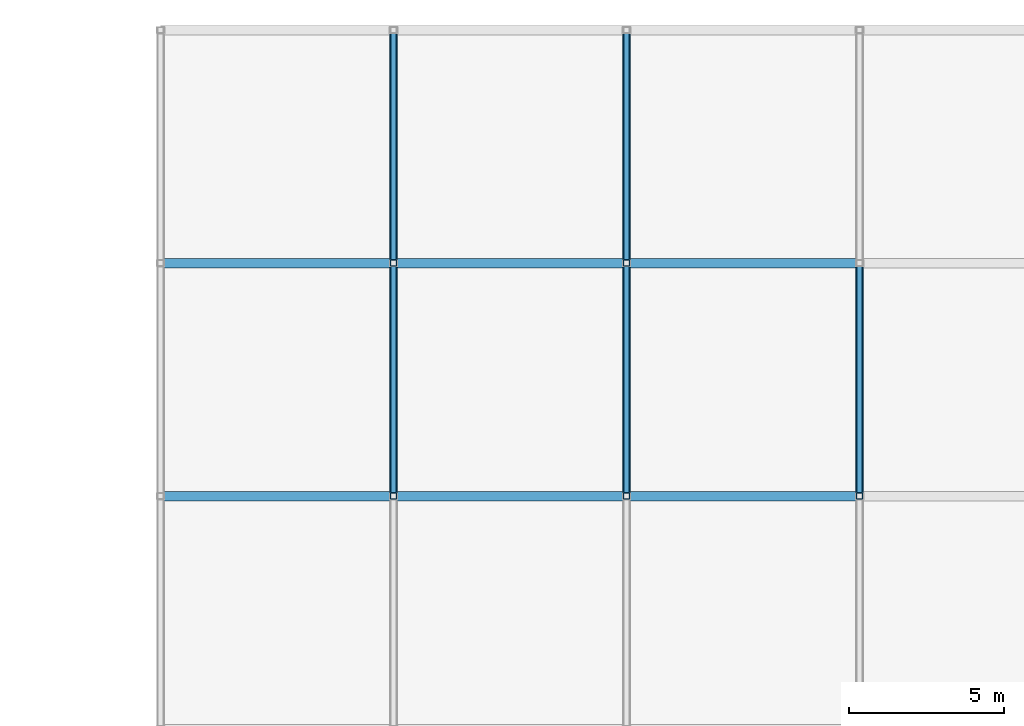
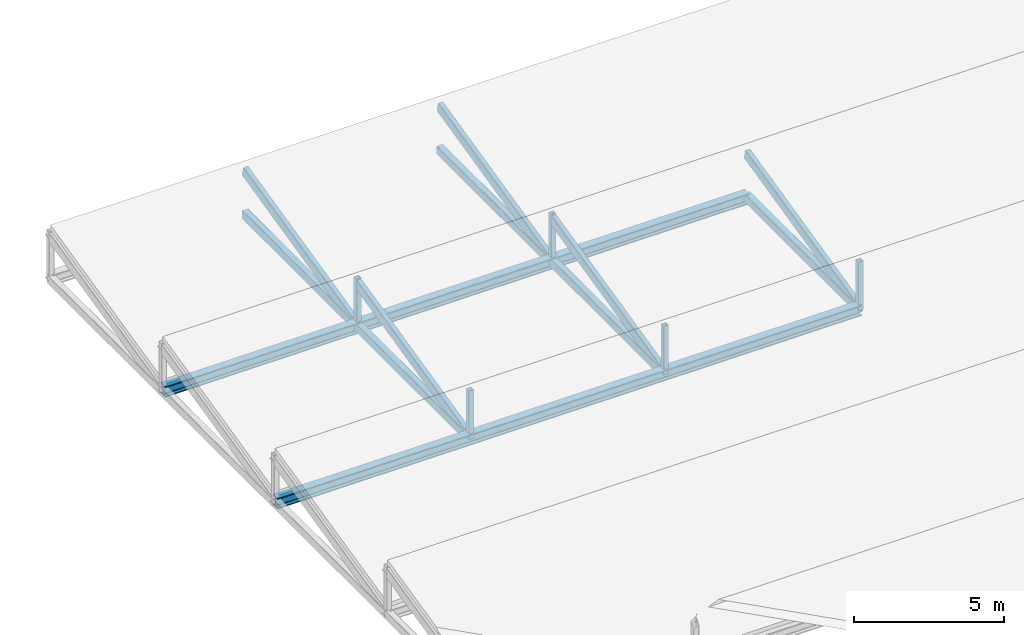
# One storey, part 44 of 82: 17 members.
"""IFC4 building model written with IfcOpenShell, lengths in metres."""

from ifc_helpers import new_model, si_unit, direction, frame, origin, origin_2d, place, context, subcontext, project, spatial, hollow_rectangle, i_section, extrude, material, material_profile, profile_set, type_object, element, save


model = new_model("IFC4")

# Units and contexts
model_context = context("Model", 3, precision=1e-05, world=origin(), true_north=direction((0.0, 1.0)))
body_context = subcontext(model_context, "Body", "Model", "MODEL_VIEW")
ifc_project = project(units=[si_unit("LENGTHUNIT", "METRE"), si_unit("AREAUNIT", "SQUARE_METRE"), si_unit("VOLUMEUNIT", "CUBIC_METRE"), si_unit("PLANEANGLEUNIT", "RADIAN"), si_unit("MASSUNIT", "GRAM", prefix="KILO")], contexts=[model_context])

# Site, building, storey
site_placement = place(None, origin())
site = spatial("IfcSite", under=ifc_project, at=site_placement, CompositionType="ELEMENT")
building_placement = place(site_placement, origin())
building = spatial("IfcBuilding", under=site, at=building_placement, Name="Qasida Concert Hall", CompositionType="ELEMENT")
storey_placement = place(building_placement, frame((0.0, 0.0, 17.10009765625)))
storey = spatial("IfcBuildingStorey", under=building, at=storey_placement, Name="L04", CompositionType="ELEMENT", Elevation=17.10009765625)

# Members
ifc_material = material(Name="Steel S355J2", Category="steel")
ifc_material_profile_1 = material_profile(ifc_material, i_section(OverallWidth=0.306884765625, OverallDepth=0.431884765625, WebThickness=0.02099609375, FlangeThickness=0.0400390625, FilletRadius=0.027099609375, at=origin_2d()), Name="HEM 400")
ifc_profile_set_1 = profile_set([ifc_material_profile_1], Name="Steel S355J2")
member_type_1 = type_object("IfcMemberType", Name="MB-CH3", PredefinedType="CHORD", material=ifc_profile_set_1)
for number, where, z_axis, x_axis, name in (
    (1, (127.5, 97.5, 0.0), (1.0, 0.0, 0.0), (0.0, 1.0, 0.0), "Roof truss sawtooth bottom chord V4T-007"),
    (2, (127.5, 105.0, 0.0), (1.0, 0.0, 0.0), (0.0, 1.0, 0.0), "Roof truss sawtooth bottom chord V4T-009"),
):
    element("IfcMember", number, at=place(storey_placement, frame(where, z_axis=z_axis, x_axis=x_axis)), inside=storey, type_object=member_type_1, Name=name, PredefinedType="CHORD", context=body_context, shape_type="SweptSolid", body=[
        extrude(i_section(OverallWidth=0.306884765625, OverallDepth=0.431884765625, WebThickness=0.02099609375, FlangeThickness=0.0400390625, FilletRadius=0.027099609375, at=origin_2d()), origin(), (0.0, 0.0, 1.0), 22.5),
    ])
ifc_material_profile_2 = material_profile(ifc_material, hollow_rectangle(XDim=0.199951171875, YDim=0.39990234375, WallThickness=0.01611328125, InnerFilletRadius=0.01611328125, OuterFilletRadius=0.031982421875, at=origin_2d()), Name="RHS 400x200x16")
ifc_profile_set_2 = profile_set([ifc_material_profile_2], Name="Steel S355J2")
member_type_2 = type_object("IfcMemberType", Name="MB-CH4", PredefinedType="CHORD", material=ifc_profile_set_2)
for number, where, z_axis, x_axis, name in (
    (3, (135.0, 97.5, 0.0), (0.0, 0.973841209742, 0.227229615606), (-1.0, 0.0, 0.0), "Roof truss sawtooth rafter V4R-071"),
    (4, (142.5, 97.5, 0.0), (0.0, 0.973841209742, 0.227229615606), (-1.0, 0.0, 0.0), "Roof truss sawtooth rafter V4R-074"),
    (5, (150.0, 97.5, 0.0), (0.0, 0.973841209742, 0.227229615606), (-1.0, 0.0, 0.0), "Roof truss sawtooth rafter V4R-077"),
    (6, (135.0, 105.0, 0.0), (0.0, 0.973841209742, 0.227229615606), (-1.0, 0.0, 0.0), "Roof truss sawtooth rafter V4R-089"),
    (7, (142.5, 105.0, 0.0), (0.0, 0.973841209742, 0.227229615606), (-1.0, 0.0, 0.0), "Roof truss sawtooth rafter V4R-092"),
):
    element("IfcMember", number, at=place(storey_placement, frame(where, z_axis=z_axis, x_axis=x_axis)), inside=storey, type_object=member_type_2, Name=name, PredefinedType="CHORD", context=body_context, shape_type="SweptSolid", body=[
        extrude(hollow_rectangle(XDim=0.199951171875, YDim=0.39990234375, WallThickness=0.01611328125, InnerFilletRadius=0.01611328125, OuterFilletRadius=0.031982421875, at=origin_2d()), origin(), (0.0, 0.0, 1.0), 7.701416015625),
    ])
ifc_material_profile_3 = material_profile(ifc_material, hollow_rectangle(XDim=0.25, YDim=0.35009765625, WallThickness=0.01611328125, InnerFilletRadius=0.01611328125, OuterFilletRadius=0.031982421875, at=origin_2d()), Name="RHS 350x250x16")
ifc_profile_set_3 = profile_set([ifc_material_profile_3], Name="Steel S355J2")
member_type_3 = type_object("IfcMemberType", Name="MB-CH5", PredefinedType="CHORD", material=ifc_profile_set_3)
for number, where, z_axis, x_axis, name in (
    (8, (135.0, 97.5, 0.0), (0.0, 1.0, 0.0), (-1.0, 0.0, 0.0), "Roof truss sawtooth tie V4B-070"),
    (9, (142.5, 97.5, 0.0), (0.0, 1.0, 0.0), (-1.0, 0.0, 0.0), "Roof truss sawtooth tie V4B-073"),
    (10, (150.0, 97.5, 0.0), (0.0, 1.0, 0.0), (-1.0, 0.0, 0.0), "Roof truss sawtooth tie V4B-076"),
    (11, (135.0, 105.0, 0.0), (0.0, 1.0, 0.0), (-1.0, 0.0, 0.0), "Roof truss sawtooth tie V4B-088"),
    (12, (142.5, 105.0, 0.0), (0.0, 1.0, 0.0), (-1.0, 0.0, 0.0), "Roof truss sawtooth tie V4B-091"),
):
    element("IfcMember", number, at=place(storey_placement, frame(where, z_axis=z_axis, x_axis=x_axis)), inside=storey, type_object=member_type_3, Name=name, PredefinedType="CHORD", context=body_context, shape_type="SweptSolid", body=[
        extrude(hollow_rectangle(XDim=0.25, YDim=0.35009765625, WallThickness=0.01611328125, InnerFilletRadius=0.01611328125, OuterFilletRadius=0.031982421875, at=origin_2d()), origin(), (0.0, 0.0, 1.0), 7.5),
    ])
ifc_material_profile_4 = material_profile(ifc_material, hollow_rectangle(XDim=0.199951171875, YDim=0.199951171875, WallThickness=0.010009765625, InnerFilletRadius=0.010009765625, OuterFilletRadius=0.02001953125, at=origin_2d()), Name="SHS 200x200x10")
ifc_profile_set_4 = profile_set([ifc_material_profile_4], Name="Steel S355J2")
member_type_4 = type_object("IfcMemberType", Name="MB-ST6", PredefinedType="STRUT", material=ifc_profile_set_4)
for number, where, z_axis, x_axis, name in (
    (13, (135.0, 97.5, 0.0), (0.0, 0.0, 1.0), (1.0, 0.0, 0.0), "Roof truss sawtooth post V4V-054"),
    (14, (142.5, 97.5, 0.0), (0.0, 0.0, 1.0), (1.0, 0.0, 0.0), "Roof truss sawtooth post V4V-057"),
    (15, (150.0, 97.5, 0.0), (0.0, 0.0, 1.0), (1.0, 0.0, 0.0), "Roof truss sawtooth post V4V-060"),
    (16, (135.0, 105.0, 0.0), (0.0, 0.0, 1.0), (1.0, 0.0, 0.0), "Roof truss sawtooth post V4V-072"),
    (17, (142.5, 105.0, 0.0), (0.0, 0.0, 1.0), (1.0, 0.0, 0.0), "Roof truss sawtooth post V4V-075"),
):
    element("IfcMember", number, at=place(storey_placement, frame(where, z_axis=z_axis, x_axis=x_axis)), inside=storey, type_object=member_type_4, Name=name, PredefinedType="STRUT", context=body_context, shape_type="SweptSolid", body=[
        extrude(hollow_rectangle(XDim=0.199951171875, YDim=0.199951171875, WallThickness=0.010009765625, InnerFilletRadius=0.010009765625, OuterFilletRadius=0.02001953125, at=origin_2d()), origin(), (0.0, 0.0, 1.0), 1.9599609375),
    ])

save(model, "model.ifc")
